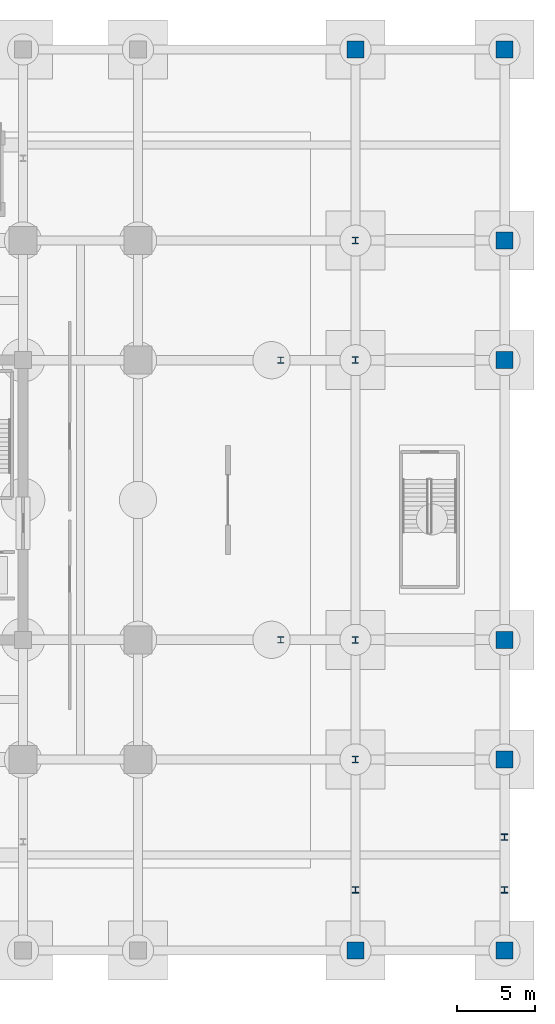
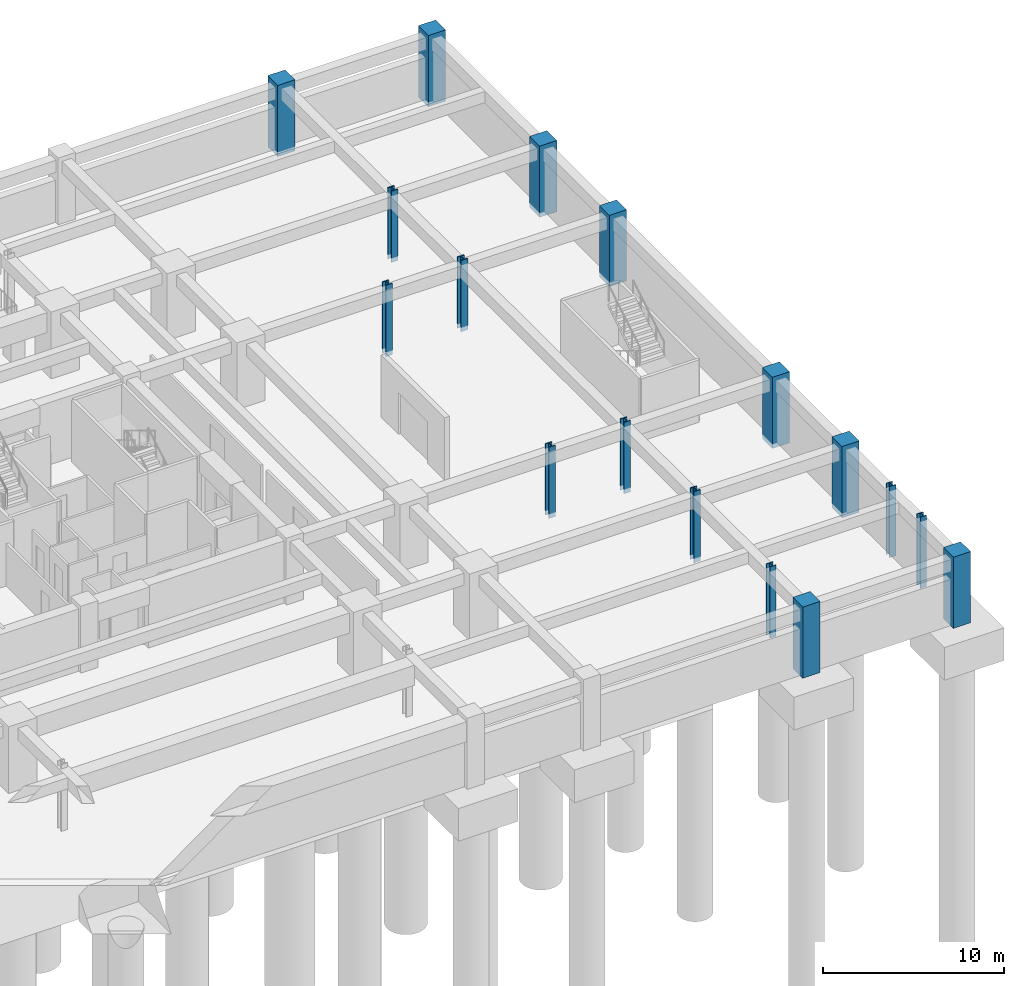
# One storey, part 4 of 17: 17 columns.
"""IFC4 building model written with IfcOpenShell, lengths in metres."""

import ifcopenshell
import ifcopenshell.guid

model = None  # the IFC model being written
_history = None  # IfcOwnerHistory: only IFC2X3 demands one
_inside = {}  # id of a spatial element -> (the spatial element, [elements in it])
_under = {}  # id of a project, library or spatial element -> (it, [spatial elements below it])
_declared = {}  # id of a project -> (the project, [libraries it declares])
_typed = {}  # id of a type object -> (the type object, [elements of that type])
_made_of = {}  # id of a material, layer set ... -> (it, [elements and type objects made of it])


def new_model(schema):
    """Start an empty IFC model of exactly this schema.

    Asked for "IFC4X3", IfcOpenShell would pick the latest addendum, in which some entities
    have other attributes; the version numbers below select the first issue.
    IFC2X3 requires an IfcOwnerHistory on every rooted entity: one is made here for all.
    """
    global model, _history
    if schema == "IFC4X3":
        model = ifcopenshell.file(schema_version=(4, 3, 0, 0))
    else:
        model = ifcopenshell.file(schema=schema)
    _inside.clear()
    _under.clear()
    _declared.clear()
    _typed.clear()
    _made_of.clear()
    _history = None
    if model.schema == "IFC2X3":
        org = make("IfcOrganization", Name="unknown")
        user = make(
            "IfcPersonAndOrganization",
            ThePerson=make("IfcPerson", FamilyName="unknown"),
            TheOrganization=org,
        )
        app = make(
            "IfcApplication",
            ApplicationDeveloper=org,
            Version="unknown",
            ApplicationFullName="unknown",
            ApplicationIdentifier="unknown",
        )
        _history = make(
            "IfcOwnerHistory",
            OwningUser=user,
            OwningApplication=app,
            ChangeAction="ADDED",
            CreationDate=0,
        )
    return model


def make(cls, **values):
    """One entity of the class cls with the attributes given. An attribute that is None is left unset."""
    return model.create_entity(
        cls, **{name: value for name, value in values.items() if value is not None}
    )


def rooted(cls, **values):
    """An entity with a GlobalId (a new one), such as an element, a storey or a relation."""
    return make(cls, GlobalId=ifcopenshell.guid.new(), OwnerHistory=_history, **values)


def si_unit(unit_type, name, prefix=None):
    """IfcSIUnit, for example si_unit("LENGTHUNIT", "METRE", prefix="MILLI")."""
    return make("IfcSIUnit", UnitType=unit_type, Prefix=prefix, Name=name)


def assignment(units):
    """IfcUnitAssignment: the units of a project."""
    return None if units is None else make("IfcUnitAssignment", Units=units)


def point(xyz):
    """IfcCartesianPoint."""
    return None if xyz is None else make("IfcCartesianPoint", Coordinates=xyz)


def direction(xyz):
    """IfcDirection."""
    return None if xyz is None else make("IfcDirection", DirectionRatios=xyz)


def frame(location, z_axis=None, x_axis=None):
    """IfcAxis2Placement3D, a coordinate frame: its origin and axes. An axis left out is left unset."""
    return make(
        "IfcAxis2Placement3D",
        Location=point(location),
        Axis=direction(z_axis),
        RefDirection=direction(x_axis),
    )


def frame_2d(location, x_axis=None):
    """IfcAxis2Placement2D, a coordinate frame in the plane: its origin and x axis."""
    return make(
        "IfcAxis2Placement2D", Location=point(location), RefDirection=direction(x_axis)
    )


def origin():
    """The frame at (0, 0, 0) with its axes left unset."""
    return frame((0.0, 0.0, 0.0))


def origin_2d():
    """The frame at (0, 0) in the plane with its x axis left unset."""
    return frame_2d((0.0, 0.0))


def place(relative_to, where):
    """IfcLocalPlacement: puts the frame where relative to a parent placement (None: the world)."""
    return make(
        "IfcLocalPlacement", PlacementRelTo=relative_to, RelativePlacement=where
    )


def context(
    kind, dimensions, precision=None, world=None, true_north=None, identifier=None
):
    """IfcGeometricRepresentationContext, for example the 3D "Model" context."""
    return make(
        "IfcGeometricRepresentationContext",
        ContextIdentifier=identifier,
        ContextType=kind,
        CoordinateSpaceDimension=dimensions,
        Precision=precision,
        WorldCoordinateSystem=world,
        TrueNorth=true_north,
    )


def subcontext(parent, identifier, kind, view, scale=None):
    """IfcGeometricRepresentationSubContext, for example "Body" below "Model"."""
    return make(
        "IfcGeometricRepresentationSubContext",
        ContextIdentifier=identifier,
        ContextType=kind,
        ParentContext=parent,
        TargetScale=scale,
        TargetView=view,
    )


def project(units=None, contexts=None):
    """IfcProject with its units and contexts."""
    return rooted(
        "IfcProject",
        Name="project",
        RepresentationContexts=contexts,
        UnitsInContext=assignment(units),
    )


def spatial(cls, under=None, at=None, **own):
    """A site, building, storey or space (cls), placed at a placement, below another one or the project."""
    s = rooted(cls, ObjectPlacement=at, **own)
    if under is not None:
        _under.setdefault(under.id(), (under, []))[1].append(s)
    return s


def profile(cls, at=None, kind="AREA", **sizes):
    """A parametric profile (cls). Its sizes go by their IFC names, for example OverallWidth=200.0."""
    return make(cls, ProfileType=kind, Position=at, **sizes)


def rectangle(**sizes):
    """IfcRectangleProfileDef."""
    return profile("IfcRectangleProfileDef", **sizes)


def i_section(**sizes):
    """IfcIShapeProfileDef."""
    return profile("IfcIShapeProfileDef", **sizes)


def extrude(swept, where, along, depth):
    """IfcExtrudedAreaSolid: the profile swept, set in the frame where, extruded along a direction by depth."""
    return make(
        "IfcExtrudedAreaSolid",
        SweptArea=swept,
        Position=where,
        ExtrudedDirection=direction(along),
        Depth=depth,
    )


def shape(context_of_items, identifier, shape_type, items):
    """IfcShapeRepresentation: the items that make up one representation, for example the "Body"."""
    return make(
        "IfcShapeRepresentation",
        ContextOfItems=context_of_items,
        RepresentationIdentifier=identifier,
        RepresentationType=shape_type,
        Items=items,
    )


def material(Name=None, Category=None):
    """IfcMaterial."""
    return make("IfcMaterial", Name=Name, Category=Category)


def material_profile(
    of_material, cross_section, Name=None, Category=None, Priority=None
):
    """IfcMaterialProfile: a cross section and its material."""
    return make(
        "IfcMaterialProfile",
        Name=Name,
        Material=of_material,
        Profile=cross_section,
        Priority=Priority,
        Category=Category,
    )


def profile_set(profiles, Name=None, composite=None):
    """IfcMaterialProfileSet."""
    return make(
        "IfcMaterialProfileSet",
        Name=Name,
        MaterialProfiles=profiles,
        CompositeProfile=composite,
    )


def made_of(thing, what):
    """Note that an element or type object is made of a material, layer set ...; save() writes the relation."""
    if what is not None:
        _made_of.setdefault(what.id(), (what, []))[1].append(thing)
    return thing


def type_object(cls, material=None, **own):
    """A type object (cls), such as IfcWallType, which elements share."""
    return made_of(rooted(cls, **own), material)


def element(
    cls,
    number,
    at=None,
    inside=None,
    cuts=None,
    type_object=None,
    material=None,
    context=None,
    identifier="Body",
    shape_type=None,
    held_by="IfcProductDefinitionShape",
    body=None,
    shapes=None,
    **own,
):
    """One element of the class cls, such as IfcWall. Its Tag is "e" and its number.

    at: its placement. inside: the storey or other place that contains it. cuts: it is an
    opening in that element (IfcRelVoidsElement). A single representation is given by context,
    identifier, shape_type and body (its items); several are given by shapes. held_by: the class
    of the entity that holds the representations. save() writes the other relations.
    """
    e = rooted(cls, Tag="e%d" % number, ObjectPlacement=at, **own)
    if body is not None:
        shapes = [shape(context, identifier, shape_type, body)]
    if shapes is not None:
        e.Representation = make(held_by, Representations=shapes)
    if inside is not None:
        _inside.setdefault(inside.id(), (inside, []))[1].append(e)
    if cuts is not None:
        rooted(
            "IfcRelVoidsElement", RelatingBuildingElement=cuts, RelatedOpeningElement=e
        )
    if type_object is not None:
        _typed.setdefault(type_object.id(), (type_object, []))[1].append(e)
    return made_of(e, material)


def aggregate(whole, parts):
    """IfcRelAggregates: a whole, such as a stair, and the parts it consists of."""
    return rooted("IfcRelAggregates", RelatingObject=whole, RelatedObjects=parts)


def save(model, path):
    """Write the relations noted so far, then the file.

    IfcRelAggregates (storeys below a building ...), IfcRelContainedInSpatialStructure (elements
    in a storey), IfcRelDefinesByType, IfcRelAssociatesMaterial and IfcRelDeclares: one each for
    every whole, place, type object, material and project.
    """
    for whole, parts in _under.values():
        aggregate(whole, parts)
    for where, things in _inside.values():
        rooted(
            "IfcRelContainedInSpatialStructure",
            RelatedElements=things,
            RelatingStructure=where,
        )
    for kind, things in _typed.values():
        rooted("IfcRelDefinesByType", RelatedObjects=things, RelatingType=kind)
    for what, things in _made_of.values():
        rooted("IfcRelAssociatesMaterial", RelatedObjects=things, RelatingMaterial=what)
    for by, libraries in _declared.values():
        rooted("IfcRelDeclares", RelatingContext=by, RelatedDefinitions=libraries)
    model.write(path)


model = new_model("IFC4")

# Units and contexts
model_context = context("Model", 3, precision=1e-05, world=origin(), true_north=direction((0.0, 1.0)))
body_context = subcontext(model_context, "Body", "Model", "MODEL_VIEW")
ifc_project = project(units=[si_unit("LENGTHUNIT", "METRE"), si_unit("AREAUNIT", "SQUARE_METRE"), si_unit("VOLUMEUNIT", "CUBIC_METRE"), si_unit("PLANEANGLEUNIT", "RADIAN"), si_unit("MASSUNIT", "GRAM", prefix="KILO")], contexts=[model_context])

# Site, building, storey
site_placement = place(None, origin())
site = spatial("IfcSite", under=ifc_project, at=site_placement, CompositionType="ELEMENT")
building_placement = place(site_placement, origin())
building = spatial("IfcBuilding", under=site, at=building_placement, Name="Kovane Verandah Tower", CompositionType="ELEMENT")
storey_placement = place(building_placement, frame((0.0, 0.0, -9.0)))
storey = spatial("IfcBuildingStorey", under=building, at=storey_placement, Name="B2", CompositionType="ELEMENT", Elevation=-9.0)

# Columns
ifc_material_1 = material(Name="Concrete C60/75", Category="concrete")
ifc_material_profile_1 = material_profile(ifc_material_1, rectangle(XDim=1.10009765625, YDim=1.10009765625, at=origin_2d()), Name="RC1100x1100")
ifc_profile_set_1 = profile_set([ifc_material_profile_1], Name="Concrete C60/75")
column_type_1 = type_object("IfcColumnType", Name="COL-POD1100", PredefinedType="COLUMN", material=ifc_profile_set_1)
for number, where, z_axis, x_axis, name in (
    (1, (82.0, -1.5, -0.300048828125), (0.0, 0.0, 1.0), (1.0, 0.0, 0.0), "B2 Podium Column PC-E0"),
    (2, (82.0, 10.800048828125, -0.300048828125), (0.0, 0.0, 1.0), (1.0, 0.0, 0.0), "B2 Podium Column PC-E1"),
    (3, (82.0, 18.5, -0.300048828125), (0.0, 0.0, 1.0), (1.0, 0.0, 0.0), "B2 Podium Column PC-E2"),
    (4, (82.0, 36.5, -0.300048828125), (0.0, 0.0, 1.0), (1.0, 0.0, 0.0), "B2 Podium Column PC-E3"),
    (5, (82.0, 44.199951171875, -0.300048828125), (0.0, 0.0, 1.0), (1.0, 0.0, 0.0), "B2 Podium Column PC-E4"),
    (6, (82.0, 56.5, -0.300048828125), (0.0, 0.0, 1.0), (1.0, 0.0, 0.0), "B2 Podium Column PC-E5"),
    (7, (72.39990234375, -1.5, -0.300048828125), (0.0, 0.0, 1.0), (1.0, 0.0, 0.0), "B2 Podium Column PC-S6"),
    (8, (72.39990234375, 56.5, -0.300048828125), (0.0, 0.0, 1.0), (1.0, 0.0, 0.0), "B2 Podium Column PC-N6"),
):
    element("IfcColumn", number, at=place(storey_placement, frame(where, z_axis=z_axis, x_axis=x_axis)), inside=storey, type_object=column_type_1, Name=name, PredefinedType="COLUMN", context=body_context, shape_type="SweptSolid", body=[
        extrude(rectangle(XDim=1.10009765625, YDim=1.10009765625, at=origin_2d()), origin(), (0.0, 0.0, 1.0), 4.800048828125),
    ])
ifc_material_2 = material(Name="Steel S460", Category="steel")
ifc_material_profile_2 = material_profile(ifc_material_2, i_section(OverallWidth=0.403076171875, OverallDepth=0.406494140625, WebThickness=0.026611328125, FlangeThickness=0.04296875, FilletRadius=0.01513671875, at=origin_2d()), Name="UC356x406x340")
ifc_profile_set_2 = profile_set([ifc_material_profile_2], Name="Steel S460")
column_type_2 = type_object("IfcColumnType", Name="COL-UC340", PredefinedType="COLUMN", material=ifc_profile_set_2)
for number, where, z_axis, x_axis, name in (
    (9, (72.39990234375, 2.39990234375, -0.300048828125), (0.0, 0.0, 1.0), (1.0, 0.0, 0.0), "B2 South Terrace Step Column S1-3"),
    (10, (82.0, 2.39990234375, -0.300048828125), (0.0, 0.0, 1.0), (1.0, 0.0, 0.0), "B2 South Terrace Step Column S1-4"),
    (11, (82.0, 5.800048828125, -0.300048828125), (0.0, 0.0, 1.0), (1.0, 0.0, 0.0), "B2 South Terrace Step Column S2-2"),
):
    element("IfcColumn", number, at=place(storey_placement, frame(where, z_axis=z_axis, x_axis=x_axis)), inside=storey, type_object=column_type_2, Name=name, PredefinedType="COLUMN", context=body_context, shape_type="SweptSolid", body=[
        extrude(i_section(OverallWidth=0.403076171875, OverallDepth=0.406494140625, WebThickness=0.026611328125, FlangeThickness=0.04296875, FilletRadius=0.01513671875, at=origin_2d()), origin(), (0.0, 0.0, 1.0), 4.800048828125),
    ])
ifc_material_profile_3 = material_profile(ifc_material_2, i_section(OverallWidth=0.412109375, OverallDepth=0.4365234375, WebThickness=0.035888671875, FlangeThickness=0.05810546875, FilletRadius=0.01513671875, at=origin_2d()), Name="UC356x406x467")
ifc_profile_set_3 = profile_set([ifc_material_profile_3], Name="Steel S460")
column_type_3 = type_object("IfcColumnType", Name="COL-UC467", PredefinedType="COLUMN", material=ifc_profile_set_3)
for number, where, z_axis, x_axis, name in (
    (12, (67.60009765625, 18.5, -0.300048828125), (0.0, 0.0, 1.0), (1.0, 0.0, 0.0), "B2 Verandah Perimeter Column VC-E1"),
    (13, (67.60009765625, 36.5, -0.300048828125), (0.0, 0.0, 1.0), (1.0, 0.0, 0.0), "B2 Verandah Perimeter Column VC-E2"),
):
    element("IfcColumn", number, at=place(storey_placement, frame(where, z_axis=z_axis, x_axis=x_axis)), inside=storey, type_object=column_type_3, Name=name, PredefinedType="COLUMN", context=body_context, shape_type="SweptSolid", body=[
        extrude(i_section(OverallWidth=0.412109375, OverallDepth=0.4365234375, WebThickness=0.035888671875, FlangeThickness=0.05810546875, FilletRadius=0.01513671875, at=origin_2d()), origin(), (0.0, 0.0, 1.0), 4.800048828125),
    ])
ifc_material_3 = material(Name="Steel S355", Category="steel")
ifc_material_profile_4 = material_profile(ifc_material_3, i_section(OverallWidth=0.41845703125, OverallDepth=0.45556640625, WebThickness=0.0419921875, FlangeThickness=0.0673828125, FilletRadius=0.01513671875, at=origin_2d()), Name="UC356x406x551")
ifc_profile_set_4 = profile_set([ifc_material_profile_4], Name="Steel S355")
column_type_4 = type_object("IfcColumnType", Name="COL-UC551", PredefinedType="COLUMN", material=ifc_profile_set_4)
for number, where, z_axis, x_axis, name in (
    (14, (72.39990234375, 10.800048828125, -0.300048828125), (0.0, 0.0, 1.0), (1.0, 0.0, 0.0), "B2 Podium Column PC-ME1"),
    (15, (72.39990234375, 18.5, -0.300048828125), (0.0, 0.0, 1.0), (1.0, 0.0, 0.0), "B2 Podium Column PC-ME2"),
    (16, (72.39990234375, 36.5, -0.300048828125), (0.0, 0.0, 1.0), (1.0, 0.0, 0.0), "B2 Podium Column PC-ME3"),
    (17, (72.39990234375, 44.199951171875, -0.300048828125), (0.0, 0.0, 1.0), (1.0, 0.0, 0.0), "B2 Podium Column PC-ME4"),
):
    element("IfcColumn", number, at=place(storey_placement, frame(where, z_axis=z_axis, x_axis=x_axis)), inside=storey, type_object=column_type_4, Name=name, PredefinedType="COLUMN", context=body_context, shape_type="SweptSolid", body=[
        extrude(i_section(OverallWidth=0.41845703125, OverallDepth=0.45556640625, WebThickness=0.0419921875, FlangeThickness=0.0673828125, FilletRadius=0.01513671875, at=origin_2d()), origin(), (0.0, 0.0, 1.0), 4.800048828125),
    ])

save(model, "model.ifc")
